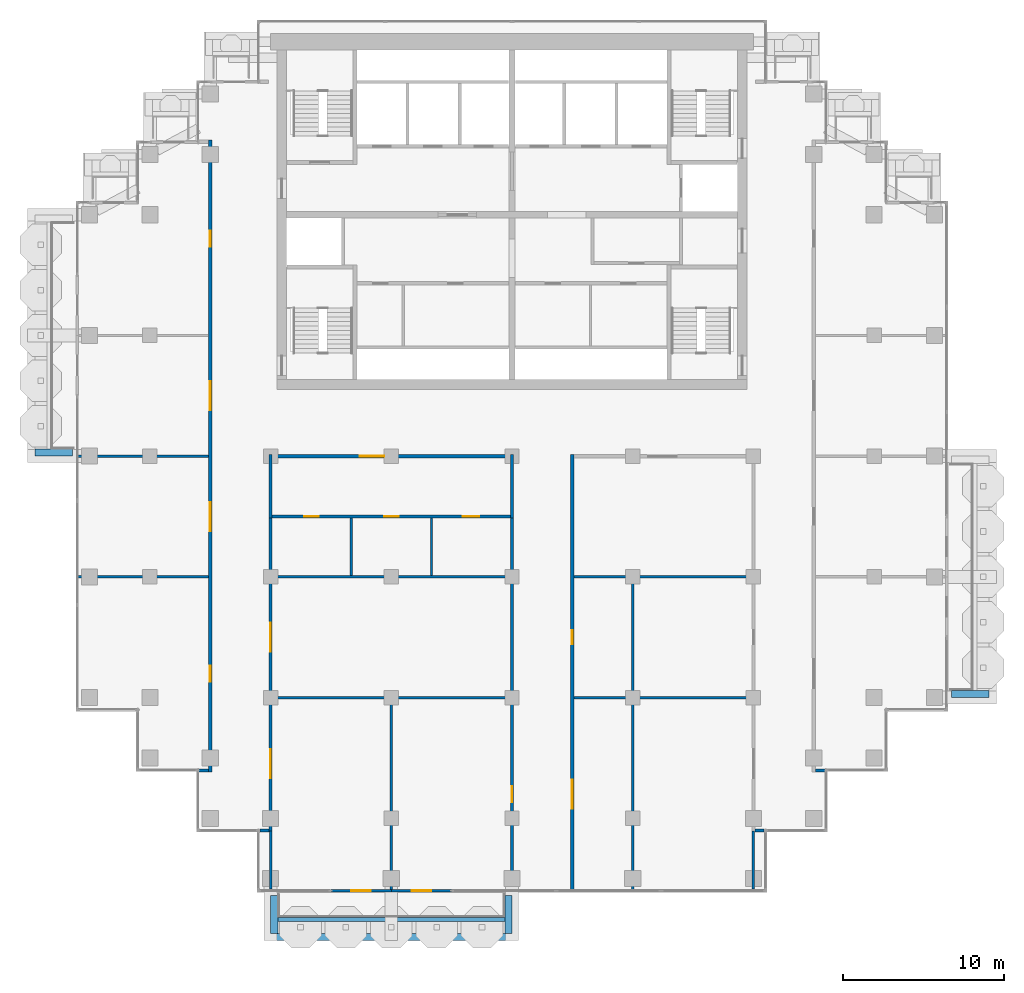
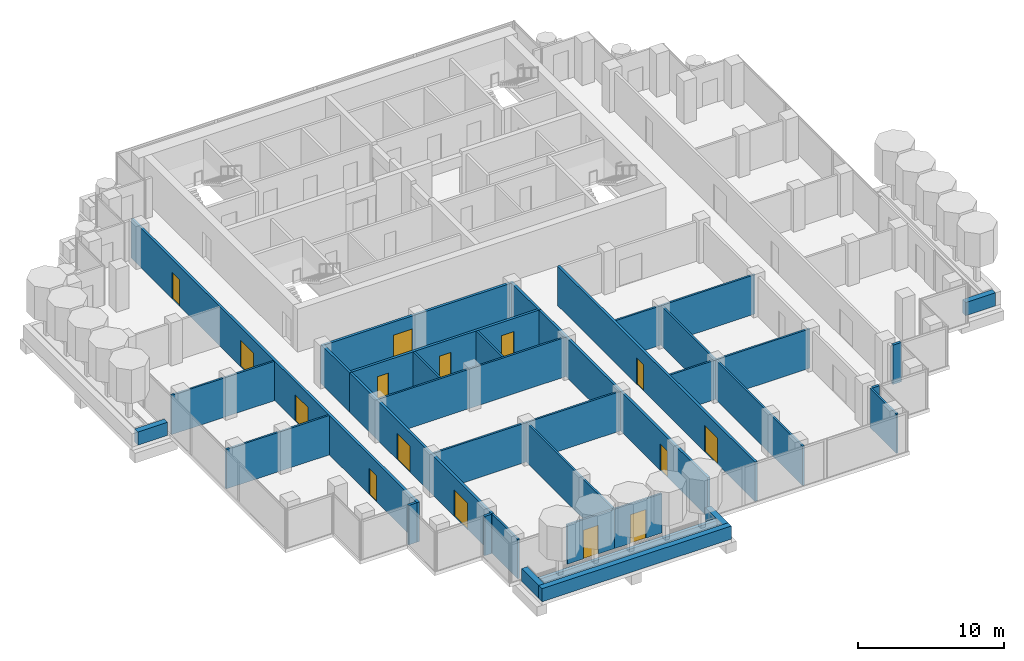
# One storey, part 11 of 18: 32 walls, 15 doors, 15 openings.
"""IFC4 building model written with IfcOpenShell, lengths in metres."""

from ifc_helpers import new_model, si_unit, direction, frame, frame_2d, origin, place, context, subcontext, project, spatial, rectangle, extrude, material, layer, layer_set, type_object, element, fill, save


model = new_model("IFC4")

# Units and contexts
model_context = context("Model", 3, precision=1e-05, world=origin(), true_north=direction((0.0, 1.0)))
body_context = subcontext(model_context, "Body", "Model", "MODEL_VIEW")
ifc_project = project(units=[si_unit("LENGTHUNIT", "METRE"), si_unit("AREAUNIT", "SQUARE_METRE"), si_unit("VOLUMEUNIT", "CUBIC_METRE"), si_unit("PLANEANGLEUNIT", "RADIAN"), si_unit("MASSUNIT", "GRAM", prefix="KILO")], contexts=[model_context])

# Site, building, storey
site_placement = place(None, origin())
site = spatial("IfcSite", under=ifc_project, at=site_placement, CompositionType="ELEMENT")
building_placement = place(site_placement, origin())
building = spatial("IfcBuilding", under=site, at=building_placement, Name="Pilkhan Gate Tower", CompositionType="ELEMENT")
storey_placement = place(building_placement, frame((0.0, 0.0, 192.300048828125)))
storey = spatial("IfcBuildingStorey", under=building, at=storey_placement, Name="L49", CompositionType="ELEMENT", Elevation=192.300048828125)

# Walls
ifc_material_1 = material(Name="Concrete C40/50", Category="concrete")
ifc_layer_1 = layer(ifc_material_1, 0.25)
ifc_layer_set_1 = layer_set([ifc_layer_1], Name="Balcony planter BP250")
wall_type_1 = type_object("IfcWallType", Name="Balcony planter BP250", PredefinedType="USERDEFINED", material=ifc_layer_set_1)
wall_1_placement = place(storey_placement, frame((60.449951171875, 38.72509765625, 0.0), z_axis=(0.0, 0.0, 1.0), x_axis=(1.0, 0.0, 0.0)))
element("IfcWall", 1, at=wall_1_placement, inside=storey, type_object=wall_type_1, Name="Balcony planter L49 S", ObjectType="BALCONY PLANTER", PredefinedType="USERDEFINED", context=body_context, shape_type="SweptSolid", body=[
    extrude(rectangle(XDim=14.10009765625, YDim=0.25, at=frame_2d((7.050048828125, 0.0))), origin(), (0.0, 0.0, 1.0), 1.0),
])
ifc_material_2 = material(Name="Board-marked Concrete C40/50", Category="concrete")
ifc_layer_2 = layer(ifc_material_2, 0.449951171875)
ifc_layer_set_2 = layer_set([ifc_layer_2], Name="Balcony planter lip BL450")
wall_type_2 = type_object("IfcWallType", Name="Balcony planter lip BL450", PredefinedType="USERDEFINED", material=ifc_layer_set_2)
wall_2_placement = place(storey_placement, frame((60.0, 37.625, 0.0), z_axis=(0.0, 0.0, 1.0), x_axis=(1.0, 0.0, 0.0)))
element("IfcWall", 2, at=wall_2_placement, inside=storey, type_object=wall_type_2, Name="Balcony planter L49 S", ObjectType="BALCONY PLANTER", PredefinedType="USERDEFINED", context=body_context, shape_type="SweptSolid", body=[
    extrude(rectangle(XDim=15.0, YDim=0.449951171875, at=frame_2d((7.5, 0.0))), origin(), (0.0, 0.0, 1.0), 1.099853515625),
])
for number, where, z_axis, x_axis, name in (
    (3, (60.22509765625, 40.199951171875, 0.0), (0.0, 0.0, 1.0), (0.0, -1.0, 0.0), "Balcony planter L49 S"),
    (4, (74.77490234375, 40.199951171875, 0.0), (0.0, 0.0, 1.0), (0.0, -1.0, 0.0), "Balcony planter L49 S"),
    (5, (102.300048828125, 52.72509765625, 0.0), (0.0, 0.0, 1.0), (1.0, 0.0, 0.0), "Balcony planter L49 E"),
    (6, (47.699951171875, 67.72509765625, 0.0), (0.0, 0.0, 1.0), (-1.0, 0.0, 0.0), "Balcony planter L49 W"),
):
    element("IfcWall", number, at=place(storey_placement, frame(where, z_axis=z_axis, x_axis=x_axis)), inside=storey, type_object=wall_type_2, Name=name, ObjectType="BALCONY PLANTER", PredefinedType="USERDEFINED", context=body_context, shape_type="SweptSolid", body=[
        extrude(rectangle(XDim=2.349853515625, YDim=0.449951171875, at=frame_2d((1.1748046875, 0.0))), origin(), (0.0, 0.0, 1.0), 1.099853515625),
    ])
ifc_material_3 = material(Name="Dense blockwork", Category="masonry")
ifc_layer_3 = layer(ifc_material_3, 0.199951171875)
ifc_layer_set_3 = layer_set([ifc_layer_3], Name="Corridor wall FW200")
wall_type_3 = type_object("IfcWallType", Name="Corridor wall FW200", PredefinedType="PARTITIONING", material=ifc_layer_set_3)
for number, where, z_axis, x_axis, name in (
    (7, (59.35498046875, 44.235107421875, 0.0), (0.0, 0.0, 1.0), (1.0, 0.0, 0.0), "Partition L49"),
    (8, (90.10009765625, 44.235107421875, 0.0), (0.0, 0.0, 1.0), (1.0, 0.0, 0.0), "Partition L49"),
):
    element("IfcWall", number, at=place(storey_placement, frame(where, z_axis=z_axis, x_axis=x_axis)), inside=storey, type_object=wall_type_3, Name=name, PredefinedType="PARTITIONING", context=body_context, shape_type="SweptSolid", body=[
        extrude(rectangle(XDim=0.544921875, YDim=0.199951171875, at=frame_2d((0.2724609375, 0.0))), origin(), (0.0, 0.0, 1.0), 3.300048828125),
    ])
for number, where, z_axis, x_axis, name in (
    (9, (55.485107421875, 47.969970703125, 0.0), (0.0, 0.0, 1.0), (1.0, 0.0, 0.0), "Partition L49"),
    (10, (93.85009765625, 47.969970703125, 0.0), (0.0, 0.0, 1.0), (1.0, 0.0, 0.0), "Partition L49"),
):
    element("IfcWall", number, at=place(storey_placement, frame(where, z_axis=z_axis, x_axis=x_axis)), inside=storey, type_object=wall_type_3, Name=name, PredefinedType="PARTITIONING", context=body_context, shape_type="SweptSolid", body=[
        extrude(rectangle(XDim=0.664794921875, YDim=0.199951171875, at=frame_2d((0.33251953125, 0.0))), origin(), (0.0, 0.0, 1.0), 3.300048828125),
    ])

# Wall, openings, doors
wall_3_placement = place(storey_placement, frame((56.25, 47.8701171875, 0.0), z_axis=(0.0, 0.0, 1.0), x_axis=(0.0, 1.0, 0.0)))
wall_3 = element("IfcWall", 11, at=wall_3_placement, inside=storey, type_object=wall_type_3, Name="Partition L49", PredefinedType="PARTITIONING", context=body_context, shape_type="SweptSolid", body=[
    extrude(rectangle(XDim=39.259765625, YDim=0.199951171875, at=frame_2d((19.6298828125, 0.0))), origin(), (0.0, 0.0, 1.0), 3.300048828125),
])
opening_1_placement = place(wall_3_placement, frame((5.60009765625, 0.0, 0.0)))
opening_1 = element("IfcOpeningElement", 12, at=opening_1_placement, cuts=wall_3, Name="Opening L49-25", PredefinedType="OPENING", context=body_context, shape_type="SweptSolid", body=[
    extrude(rectangle(XDim=1.0, YDim=2.199951171875, at=frame_2d((0.5, 1.10009765625))), frame((0.0, 0.10986328125, 0.0), z_axis=(0.0, -1.0, 0.0), x_axis=(1.0, 0.0, 0.0)), (0.0, 0.0, 1.0), 0.219970703125),
])
opening_2_placement = place(wall_3_placement, frame((14.97998046875, 0.0, 0.0)))
opening_2 = element("IfcOpeningElement", 13, at=opening_2_placement, cuts=wall_3, Name="Opening L49-26", PredefinedType="OPENING", context=body_context, shape_type="SweptSolid", body=[
    extrude(rectangle(XDim=1.800048828125, YDim=2.199951171875, at=frame_2d((0.89990234375, 1.10009765625))), frame((0.0, 0.10986328125, 0.0), z_axis=(0.0, -1.0, 0.0), x_axis=(1.0, 0.0, 0.0)), (0.0, 0.0, 1.0), 0.219970703125),
])
opening_3_placement = place(wall_3_placement, frame((22.47998046875, 0.0, 0.0)))
opening_3 = element("IfcOpeningElement", 14, at=opening_3_placement, cuts=wall_3, Name="Opening L49-27", PredefinedType="OPENING", context=body_context, shape_type="SweptSolid", body=[
    extrude(rectangle(XDim=1.800048828125, YDim=2.199951171875, at=frame_2d((0.89990234375, 1.10009765625))), frame((0.0, 0.10986328125, 0.0), z_axis=(0.0, -1.0, 0.0), x_axis=(1.0, 0.0, 0.0)), (0.0, 0.0, 1.0), 0.219970703125),
])
opening_4_placement = place(wall_3_placement, frame((32.6298828125, 0.0, 0.0)))
opening_4 = element("IfcOpeningElement", 15, at=opening_4_placement, cuts=wall_3, Name="Opening L49-31", PredefinedType="OPENING", context=body_context, shape_type="SweptSolid", body=[
    extrude(rectangle(XDim=1.0, YDim=2.199951171875, at=frame_2d((0.5, 1.10009765625))), frame((0.0, 0.10986328125, 0.0), z_axis=(0.0, -1.0, 0.0), x_axis=(1.0, 0.0, 0.0)), (0.0, 0.0, 1.0), 0.219970703125),
])
ifc_material_4 = material(Name="Timber glazed double door, 30 minute fire resisting", Category="wood")
door_type_1 = type_object("IfcDoorType", Name="Double door D04 1800x2200", OperationType="DOUBLE_DOOR_SINGLE_SWING", PredefinedType="DOOR", material=ifc_material_4)
door_1_placement = place(opening_2_placement, origin())
door_1 = element("IfcDoor", 16, at=door_1_placement, inside=storey, type_object=door_type_1, Name="Double door", OperationType="DOUBLE_DOOR_SINGLE_SWING", OverallHeight=2.199951171875, OverallWidth=1.800048828125, PredefinedType="DOOR", context=body_context, shape_type="SweptSolid", body=[
    extrude(rectangle(XDim=1.800048828125, YDim=2.199951171875, at=frame_2d((0.89990234375, 1.10009765625))), frame((0.0, 0.02490234375, 0.0), z_axis=(0.0, -1.0, 0.0), x_axis=(1.0, 0.0, 0.0)), (0.0, 0.0, 1.0), 0.050048828125),
])
fill(opening_2, door_1)
door_2_placement = place(opening_3_placement, origin())
door_2 = element("IfcDoor", 17, at=door_2_placement, inside=storey, type_object=door_type_1, Name="Double door", OperationType="DOUBLE_DOOR_SINGLE_SWING", OverallHeight=2.199951171875, OverallWidth=1.800048828125, PredefinedType="DOOR", context=body_context, shape_type="SweptSolid", body=[
    extrude(rectangle(XDim=1.800048828125, YDim=2.199951171875, at=frame_2d((0.89990234375, 1.10009765625))), frame((0.0, 0.02490234375, 0.0), z_axis=(0.0, -1.0, 0.0), x_axis=(1.0, 0.0, 0.0)), (0.0, 0.0, 1.0), 0.050048828125),
])
fill(opening_3, door_2)
ifc_material_5 = material(Name="Timber flush door, 30 minute fire resisting", Category="wood")
door_type_2 = type_object("IfcDoorType", Name="Room door D03 1000x2200", OperationType="SINGLE_SWING_LEFT", PredefinedType="DOOR", material=ifc_material_5)
door_3_placement = place(opening_1_placement, origin())
door_3 = element("IfcDoor", 18, at=door_3_placement, inside=storey, type_object=door_type_2, Name="Room door", OperationType="SINGLE_SWING_RIGHT", OverallHeight=2.199951171875, OverallWidth=1.0, PredefinedType="DOOR", context=body_context, shape_type="SweptSolid", body=[
    extrude(rectangle(XDim=1.0, YDim=2.199951171875, at=frame_2d((0.5, 1.10009765625))), frame((0.0, 0.02490234375, 0.0), z_axis=(0.0, -1.0, 0.0), x_axis=(1.0, 0.0, 0.0)), (0.0, 0.0, 1.0), 0.050048828125),
])
fill(opening_1, door_3)
door_4_placement = place(opening_4_placement, origin())
door_4 = element("IfcDoor", 19, at=door_4_placement, inside=storey, type_object=door_type_2, Name="Room door", OperationType="SINGLE_SWING_RIGHT", OverallHeight=2.199951171875, OverallWidth=1.0, PredefinedType="DOOR", context=body_context, shape_type="SweptSolid", body=[
    extrude(rectangle(XDim=1.0, YDim=2.199951171875, at=frame_2d((0.5, 1.10009765625))), frame((0.0, 0.02490234375, 0.0), z_axis=(0.0, -1.0, 0.0), x_axis=(1.0, 0.0, 0.0)), (0.0, 0.0, 1.0), 0.050048828125),
])
fill(opening_4, door_4)

wall_4_placement = place(storey_placement, frame((60.0, 44.135009765625, 0.0), z_axis=(0.0, 0.0, 1.0), x_axis=(0.0, 1.0, 0.0)))
wall_4 = element("IfcWall", 20, at=wall_4_placement, inside=storey, type_object=wall_type_3, Name="Partition L49", PredefinedType="PARTITIONING", context=body_context, shape_type="SweptSolid", body=[
    extrude(rectangle(XDim=19.614990234375, YDim=0.199951171875, at=frame_2d((9.8076171875, 0.0))), origin(), (0.0, 0.0, 1.0), 3.300048828125),
])
opening_5_placement = place(wall_4_placement, frame((3.35009765625, 0.0, 0.0)))
opening_5 = element("IfcOpeningElement", 21, at=opening_5_placement, cuts=wall_4, Name="Opening L49-17", PredefinedType="OPENING", context=body_context, shape_type="SweptSolid", body=[
    extrude(rectangle(XDim=1.800048828125, YDim=2.199951171875, at=frame_2d((0.89990234375, 1.10009765625))), frame((0.0, 0.10986328125, 0.0), z_axis=(0.0, -1.0, 0.0), x_axis=(1.0, 0.0, 0.0)), (0.0, 0.0, 1.0), 0.219970703125),
])
opening_6_placement = place(wall_4_placement, frame((11.215087890625, 0.0, 0.0)))
opening_6 = element("IfcOpeningElement", 22, at=opening_6_placement, cuts=wall_4, Name="Opening L49-19", PredefinedType="OPENING", context=body_context, shape_type="SweptSolid", body=[
    extrude(rectangle(XDim=1.800048828125, YDim=2.199951171875, at=frame_2d((0.89990234375, 1.10009765625))), frame((0.0, 0.10986328125, 0.0), z_axis=(0.0, -1.0, 0.0), x_axis=(1.0, 0.0, 0.0)), (0.0, 0.0, 1.0), 0.219970703125),
])
door_5_placement = place(opening_5_placement, origin())
door_5 = element("IfcDoor", 23, at=door_5_placement, inside=storey, type_object=door_type_1, Name="Double door", OperationType="DOUBLE_DOOR_SINGLE_SWING", OverallHeight=2.199951171875, OverallWidth=1.800048828125, PredefinedType="DOOR", context=body_context, shape_type="SweptSolid", body=[
    extrude(rectangle(XDim=1.800048828125, YDim=2.199951171875, at=frame_2d((0.89990234375, 1.10009765625))), frame((0.0, 0.02490234375, 0.0), z_axis=(0.0, -1.0, 0.0), x_axis=(1.0, 0.0, 0.0)), (0.0, 0.0, 1.0), 0.050048828125),
])
fill(opening_5, door_5)
door_6_placement = place(opening_6_placement, origin())
door_6 = element("IfcDoor", 24, at=door_6_placement, inside=storey, type_object=door_type_1, Name="Double door", OperationType="DOUBLE_DOOR_SINGLE_SWING", OverallHeight=2.199951171875, OverallWidth=1.800048828125, PredefinedType="DOOR", context=body_context, shape_type="SweptSolid", body=[
    extrude(rectangle(XDim=1.800048828125, YDim=2.199951171875, at=frame_2d((0.89990234375, 1.10009765625))), frame((0.0, 0.02490234375, 0.0), z_axis=(0.0, -1.0, 0.0), x_axis=(1.0, 0.0, 0.0)), (0.0, 0.0, 1.0), 0.050048828125),
])
fill(opening_6, door_6)

# Wall, opening, door
wall_5_placement = place(storey_placement, frame((75.0, 40.485107421875, 0.0), z_axis=(0.0, 0.0, 1.0), x_axis=(0.0, 1.0, 0.0)))
wall_5 = element("IfcWall", 25, at=wall_5_placement, inside=storey, type_object=wall_type_3, Name="Partition L49", PredefinedType="PARTITIONING", context=body_context, shape_type="SweptSolid", body=[
    extrude(rectangle(XDim=23.264892578125, YDim=0.199951171875, at=frame_2d((11.63232421875, 0.0))), origin(), (0.0, 0.0, 1.0), 3.300048828125),
])
opening_7_placement = place(wall_5_placement, frame((5.5, 0.0, 0.0)))
opening_7 = element("IfcOpeningElement", 26, at=opening_7_placement, cuts=wall_5, Name="Opening L49-18", PredefinedType="OPENING", context=body_context, shape_type="SweptSolid", body=[
    extrude(rectangle(XDim=1.0, YDim=2.199951171875, at=frame_2d((0.5, 1.10009765625))), frame((0.0, 0.10986328125, 0.0), z_axis=(0.0, -1.0, 0.0), x_axis=(1.0, 0.0, 0.0)), (0.0, 0.0, 1.0), 0.219970703125),
])
door_7_placement = place(opening_7_placement, origin())
door_7 = element("IfcDoor", 27, at=door_7_placement, inside=storey, type_object=door_type_2, Name="Room door", OperationType="SINGLE_SWING_RIGHT", OverallHeight=2.199951171875, OverallWidth=1.0, PredefinedType="DOOR", context=body_context, shape_type="SweptSolid", body=[
    extrude(rectangle(XDim=1.0, YDim=2.199951171875, at=frame_2d((0.5, 1.10009765625))), frame((0.0, 0.02490234375, 0.0), z_axis=(0.0, -1.0, 0.0), x_axis=(1.0, 0.0, 0.0)), (0.0, 0.0, 1.0), 0.050048828125),
])
fill(opening_7, door_7)

# Wall, openings, doors
wall_6_placement = place(storey_placement, frame((78.75, 40.485107421875, 0.0), z_axis=(0.0, 0.0, 1.0), x_axis=(0.0, 1.0, 0.0)))
wall_6 = element("IfcWall", 28, at=wall_6_placement, inside=storey, type_object=wall_type_3, Name="Partition L49", PredefinedType="PARTITIONING", context=body_context, shape_type="SweptSolid", body=[
    extrude(rectangle(XDim=27.114990234375, YDim=0.199951171875, at=frame_2d((13.5576171875, 0.0))), origin(), (0.0, 0.0, 1.0), 3.300048828125),
])
opening_8_placement = place(wall_6_placement, frame((5.10009765625, 0.0, 0.0)))
opening_8 = element("IfcOpeningElement", 29, at=opening_8_placement, cuts=wall_6, Name="Opening L49-20", PredefinedType="OPENING", context=body_context, shape_type="SweptSolid", body=[
    extrude(rectangle(XDim=1.800048828125, YDim=2.199951171875, at=frame_2d((0.89990234375, 1.10009765625))), frame((0.0, 0.10986328125, 0.0), z_axis=(0.0, -1.0, 0.0), x_axis=(1.0, 0.0, 0.0)), (0.0, 0.0, 1.0), 0.219970703125),
])
opening_9_placement = place(wall_6_placement, frame((15.31494140625, 0.0, 0.0)))
opening_9 = element("IfcOpeningElement", 30, at=opening_9_placement, cuts=wall_6, Name="Opening L49-22", PredefinedType="OPENING", context=body_context, shape_type="SweptSolid", body=[
    extrude(rectangle(XDim=0.89990234375, YDim=2.199951171875, at=frame_2d((0.449951171875, 1.10009765625))), frame((0.0, 0.10986328125, 0.0), z_axis=(0.0, -1.0, 0.0), x_axis=(1.0, 0.0, 0.0)), (0.0, 0.0, 1.0), 0.219970703125),
])
door_8_placement = place(opening_8_placement, origin())
door_8 = element("IfcDoor", 31, at=door_8_placement, inside=storey, type_object=door_type_1, Name="Double door", OperationType="DOUBLE_DOOR_SINGLE_SWING", OverallHeight=2.199951171875, OverallWidth=1.800048828125, PredefinedType="DOOR", context=body_context, shape_type="SweptSolid", body=[
    extrude(rectangle(XDim=1.800048828125, YDim=2.199951171875, at=frame_2d((0.89990234375, 1.10009765625))), frame((0.0, 0.02490234375, 0.0), z_axis=(0.0, -1.0, 0.0), x_axis=(1.0, 0.0, 0.0)), (0.0, 0.0, 1.0), 0.050048828125),
])
fill(opening_8, door_8)
ifc_material_6 = material(Name="Timber flush door, 60 minute fire resisting, self-closing", Category="wood")
door_type_3 = type_object("IfcDoorType", Name="Store door D05 900x2200", OperationType="SINGLE_SWING_LEFT", PredefinedType="DOOR", material=ifc_material_6)
door_9_placement = place(opening_9_placement, origin())
door_9 = element("IfcDoor", 32, at=door_9_placement, inside=storey, type_object=door_type_3, Name="Store door", OperationType="SINGLE_SWING_LEFT", OverallHeight=2.199951171875, OverallWidth=0.89990234375, PredefinedType="DOOR", context=body_context, shape_type="SweptSolid", body=[
    extrude(rectangle(XDim=0.89990234375, YDim=2.199951171875, at=frame_2d((0.449951171875, 1.10009765625))), frame((0.0, 0.02490234375, 0.0), z_axis=(0.0, -1.0, 0.0), x_axis=(1.0, 0.0, 0.0)), (0.0, 0.0, 1.0), 0.050048828125),
])
fill(opening_9, door_9)

# Wall, opening, door
ifc_material_7 = material(Name="Pale anodised aluminium, clear laminated glazing", Category="aluminium")
ifc_layer_4 = layer(ifc_material_7, 0.14990234375)
ifc_layer_set_4 = layer_set([ifc_layer_4], Name="Facade infill wall IW150")
wall_type_4 = type_object("IfcWallType", Name="Facade infill wall IW150", PredefinedType="SOLIDWALL", material=ifc_layer_set_4)
wall_7_placement = place(storey_placement, frame((63.75, 40.5, 0.0), z_axis=(0.0, 0.0, 1.0), x_axis=(1.0, 0.0, 0.0)))
wall_7 = element("IfcWall", 33, at=wall_7_placement, inside=storey, type_object=wall_type_4, Name="Infill wall L49 S", PredefinedType="SOLIDWALL", context=body_context, shape_type="SweptSolid", body=[
    extrude(rectangle(XDim=3.75, YDim=0.14990234375, at=frame_2d((1.875, 0.0))), origin(), (0.0, 0.0, 1.0), 3.300048828125),
])
opening_10_placement = place(wall_7_placement, frame((1.27490234375, 0.0, 0.0)))
opening_10 = element("IfcOpeningElement", 34, at=opening_10_placement, cuts=wall_7, Name="Opening D1", PredefinedType="OPENING", context=body_context, shape_type="SweptSolid", body=[
    extrude(rectangle(XDim=1.199951171875, YDim=2.39990234375, at=frame_2d((0.60009765625, 1.199951171875))), frame((0.0, 0.0849609375, 0.0), z_axis=(0.0, -1.0, 0.0), x_axis=(1.0, 0.0, 0.0)), (0.0, 0.0, 1.0), 0.169921875),
])
ifc_material_8 = material(Name="Pale anodised aluminium, clear glazing", Category="aluminium")
door_type_4 = type_object("IfcDoorType", Name="Balcony door D1 1200x2400", OperationType="SINGLE_SWING_LEFT", PredefinedType="DOOR", material=ifc_material_8)
door_10_placement = place(opening_10_placement, origin())
door_10 = element("IfcDoor", 35, at=door_10_placement, inside=storey, type_object=door_type_4, Name="Balcony door L49", OperationType="SINGLE_SWING_LEFT", OverallHeight=2.39990234375, OverallWidth=1.199951171875, PredefinedType="DOOR", context=body_context, shape_type="SweptSolid", body=[
    extrude(rectangle(XDim=1.199951171875, YDim=2.39990234375, at=frame_2d((0.60009765625, 1.199951171875))), frame((0.0, 0.02490234375, 0.0), z_axis=(0.0, -1.0, 0.0), x_axis=(1.0, 0.0, 0.0)), (0.0, 0.0, 1.0), 0.050048828125),
])
fill(opening_10, door_10)

wall_8_placement = place(storey_placement, frame((67.5, 40.5, 0.0), z_axis=(0.0, 0.0, 1.0), x_axis=(1.0, 0.0, 0.0)))
wall_8 = element("IfcWall", 36, at=wall_8_placement, inside=storey, type_object=wall_type_4, Name="Infill wall L49 S", PredefinedType="SOLIDWALL", context=body_context, shape_type="SweptSolid", body=[
    extrude(rectangle(XDim=3.75, YDim=0.14990234375, at=frame_2d((1.875, 0.0))), origin(), (0.0, 0.0, 1.0), 3.300048828125),
])
opening_11_placement = place(wall_8_placement, frame((1.27490234375, 0.0, 0.0)))
opening_11 = element("IfcOpeningElement", 37, at=opening_11_placement, cuts=wall_8, Name="Opening D1", PredefinedType="OPENING", context=body_context, shape_type="SweptSolid", body=[
    extrude(rectangle(XDim=1.199951171875, YDim=2.39990234375, at=frame_2d((0.60009765625, 1.199951171875))), frame((0.0, 0.0849609375, 0.0), z_axis=(0.0, -1.0, 0.0), x_axis=(1.0, 0.0, 0.0)), (0.0, 0.0, 1.0), 0.169921875),
])
door_11_placement = place(opening_11_placement, origin())
door_11 = element("IfcDoor", 38, at=door_11_placement, inside=storey, type_object=door_type_4, Name="Balcony door L49", OperationType="SINGLE_SWING_LEFT", OverallHeight=2.39990234375, OverallWidth=1.199951171875, PredefinedType="DOOR", context=body_context, shape_type="SweptSolid", body=[
    extrude(rectangle(XDim=1.199951171875, YDim=2.39990234375, at=frame_2d((0.60009765625, 1.199951171875))), frame((0.0, 0.02490234375, 0.0), z_axis=(0.0, -1.0, 0.0), x_axis=(1.0, 0.0, 0.0)), (0.0, 0.0, 1.0), 0.050048828125),
])
fill(opening_11, door_11)

# Wall, openings, doors
ifc_layer_5 = layer(ifc_material_3, 0.199951171875)
ifc_layer_set_5 = layer_set([ifc_layer_5], Name="Lobby wall LW200")
wall_type_5 = type_object("IfcWallType", Name="Lobby wall LW200", PredefinedType="PARTITIONING", material=ifc_layer_set_5)
wall_9_placement = place(storey_placement, frame((60.10009765625, 63.75, 0.0), z_axis=(0.0, 0.0, 1.0), x_axis=(1.0, 0.0, 0.0)))
wall_9 = element("IfcWall", 39, at=wall_9_placement, inside=storey, type_object=wall_type_5, Name="Partition L49", PredefinedType="PARTITIONING", context=body_context, shape_type="SweptSolid", body=[
    extrude(rectangle(XDim=14.7998046875, YDim=0.199951171875, at=frame_2d((7.39990234375, 0.0))), origin(), (0.0, 0.0, 1.0), 3.300048828125),
])
opening_12_placement = place(wall_9_placement, frame((2.0, 0.0, 0.0)))
opening_12 = element("IfcOpeningElement", 40, at=opening_12_placement, cuts=wall_9, Name="Opening L49-14", PredefinedType="OPENING", context=body_context, shape_type="SweptSolid", body=[
    extrude(rectangle(XDim=0.89990234375, YDim=2.199951171875, at=frame_2d((0.449951171875, 1.10009765625))), frame((0.0, 0.10986328125, 0.0), z_axis=(0.0, -1.0, 0.0), x_axis=(1.0, 0.0, 0.0)), (0.0, 0.0, 1.0), 0.219970703125),
])
opening_13_placement = place(wall_9_placement, frame((6.949951171875, 0.0, 0.0)))
opening_13 = element("IfcOpeningElement", 41, at=opening_13_placement, cuts=wall_9, Name="Opening L49-15", PredefinedType="OPENING", context=body_context, shape_type="SweptSolid", body=[
    extrude(rectangle(XDim=0.89990234375, YDim=2.199951171875, at=frame_2d((0.449951171875, 1.10009765625))), frame((0.0, 0.10986328125, 0.0), z_axis=(0.0, -1.0, 0.0), x_axis=(1.0, 0.0, 0.0)), (0.0, 0.0, 1.0), 0.219970703125),
])
opening_14_placement = place(wall_9_placement, frame((11.85009765625, 0.0, 0.0)))
opening_14 = element("IfcOpeningElement", 42, at=opening_14_placement, cuts=wall_9, Name="Opening L49-16", PredefinedType="OPENING", context=body_context, shape_type="SweptSolid", body=[
    extrude(rectangle(XDim=1.0, YDim=2.199951171875, at=frame_2d((0.5, 1.10009765625))), frame((0.0, 0.10986328125, 0.0), z_axis=(0.0, -1.0, 0.0), x_axis=(1.0, 0.0, 0.0)), (0.0, 0.0, 1.0), 0.219970703125),
])
ifc_material_9 = material(Name="Timber flush door, outward opening, 30 minute fire resisting", Category="wood")
door_type_5 = type_object("IfcDoorType", Name="Accessible toilet door D07 1000x2200", OperationType="SINGLE_SWING_LEFT", PredefinedType="DOOR", material=ifc_material_9)
door_12_placement = place(opening_14_placement, origin())
door_12 = element("IfcDoor", 43, at=door_12_placement, inside=storey, type_object=door_type_5, Name="Accessible toilet door", OperationType="SINGLE_SWING_RIGHT", OverallHeight=2.199951171875, OverallWidth=1.0, PredefinedType="DOOR", context=body_context, shape_type="SweptSolid", body=[
    extrude(rectangle(XDim=1.0, YDim=2.199951171875, at=frame_2d((0.5, 1.10009765625))), frame((0.0, 0.02490234375, 0.0), z_axis=(0.0, -1.0, 0.0), x_axis=(1.0, 0.0, 0.0)), (0.0, 0.0, 1.0), 0.050048828125),
])
fill(opening_14, door_12)
door_type_6 = type_object("IfcDoorType", Name="Toilet door D06 900x2200", OperationType="SINGLE_SWING_LEFT", PredefinedType="DOOR", material=ifc_material_5)
door_13_placement = place(opening_12_placement, origin())
door_13 = element("IfcDoor", 44, at=door_13_placement, inside=storey, type_object=door_type_6, Name="Toilet door", OperationType="SINGLE_SWING_LEFT", OverallHeight=2.199951171875, OverallWidth=0.89990234375, PredefinedType="DOOR", context=body_context, shape_type="SweptSolid", body=[
    extrude(rectangle(XDim=0.89990234375, YDim=2.199951171875, at=frame_2d((0.449951171875, 1.10009765625))), frame((0.0, 0.02490234375, 0.0), z_axis=(0.0, -1.0, 0.0), x_axis=(1.0, 0.0, 0.0)), (0.0, 0.0, 1.0), 0.050048828125),
])
fill(opening_12, door_13)
door_14_placement = place(opening_13_placement, origin())
door_14 = element("IfcDoor", 45, at=door_14_placement, inside=storey, type_object=door_type_6, Name="Toilet door", OperationType="SINGLE_SWING_RIGHT", OverallHeight=2.199951171875, OverallWidth=0.89990234375, PredefinedType="DOOR", context=body_context, shape_type="SweptSolid", body=[
    extrude(rectangle(XDim=0.89990234375, YDim=2.199951171875, at=frame_2d((0.449951171875, 1.10009765625))), frame((0.0, 0.02490234375, 0.0), z_axis=(0.0, -1.0, 0.0), x_axis=(1.0, 0.0, 0.0)), (0.0, 0.0, 1.0), 0.050048828125),
])
fill(opening_13, door_14)

# Wall, opening, door
wall_10_placement = place(storey_placement, frame((60.10009765625, 67.5, 0.0), z_axis=(0.0, 0.0, 1.0), x_axis=(1.0, 0.0, 0.0)))
wall_10 = element("IfcWall", 46, at=wall_10_placement, inside=storey, type_object=wall_type_5, Name="Partition L49", PredefinedType="PARTITIONING", context=body_context, shape_type="SweptSolid", body=[
    extrude(rectangle(XDim=14.7998046875, YDim=0.199951171875, at=frame_2d((7.39990234375, 0.0))), origin(), (0.0, 0.0, 1.0), 3.300048828125),
])
opening_15_placement = place(wall_10_placement, frame((5.449951171875, 0.0, 0.0)))
opening_15 = element("IfcOpeningElement", 47, at=opening_15_placement, cuts=wall_10, Name="Opening L49-13", PredefinedType="OPENING", context=body_context, shape_type="SweptSolid", body=[
    extrude(rectangle(XDim=1.5, YDim=2.199951171875, at=frame_2d((0.75, 1.10009765625))), frame((0.0, 0.10986328125, 0.0), z_axis=(0.0, -1.0, 0.0), x_axis=(1.0, 0.0, 0.0)), (0.0, 0.0, 1.0), 0.219970703125),
])
ifc_material_10 = material(Name="Steel framed glazed door, 60 minute fire resisting", Category="steel")
door_type_7 = type_object("IfcDoorType", Name="Lobby door D09 1500x2200", OperationType="DOUBLE_DOOR_SINGLE_SWING", PredefinedType="DOOR", material=ifc_material_10)
door_15_placement = place(opening_15_placement, origin())
door_15 = element("IfcDoor", 48, at=door_15_placement, inside=storey, type_object=door_type_7, Name="Lobby door", OperationType="DOUBLE_DOOR_SINGLE_SWING", OverallHeight=2.199951171875, OverallWidth=1.5, PredefinedType="DOOR", context=body_context, shape_type="SweptSolid", body=[
    extrude(rectangle(XDim=1.5, YDim=2.199951171875, at=frame_2d((0.75, 1.10009765625))), frame((0.0, 0.02490234375, 0.0), z_axis=(0.0, -1.0, 0.0), x_axis=(1.0, 0.0, 0.0)), (0.0, 0.0, 1.0), 0.050048828125),
])
fill(opening_15, door_15)

# Walls
for number, where, z_axis, x_axis, name in (
    (49, (60.0, 63.64990234375, 0.0), (0.0, 0.0, 1.0), (0.0, 1.0, 0.0), "Partition L49"),
    (50, (75.0, 63.64990234375, 0.0), (0.0, 0.0, 1.0), (0.0, 1.0, 0.0), "Partition L49"),
):
    element("IfcWall", number, at=place(storey_placement, frame(where, z_axis=z_axis, x_axis=x_axis)), inside=storey, type_object=wall_type_5, Name=name, PredefinedType="PARTITIONING", context=body_context, shape_type="SweptSolid", body=[
        extrude(rectangle(XDim=3.9501953125, YDim=0.199951171875, at=frame_2d((1.97509765625, 0.0))), origin(), (0.0, 0.0, 1.0), 3.300048828125),
    ])
ifc_material_11 = material(Name="Blockwork partition, plastered both sides", Category="masonry")
ifc_layer_6 = layer(ifc_material_11, 0.14990234375)
ifc_layer_set_6 = layer_set([ifc_layer_6], Name="Partition PW150")
wall_type_6 = type_object("IfcWallType", Name="Partition PW150", PredefinedType="PARTITIONING", material=ifc_layer_set_6)
wall_11_placement = place(storey_placement, frame((60.10009765625, 52.5, 0.0), z_axis=(0.0, 0.0, 1.0), x_axis=(1.0, 0.0, 0.0)))
element("IfcWall", 51, at=wall_11_placement, inside=storey, type_object=wall_type_6, Name="Partition L49", PredefinedType="PARTITIONING", context=body_context, shape_type="SweptSolid", body=[
    extrude(rectangle(XDim=14.7998046875, YDim=0.14990234375, at=frame_2d((7.39990234375, 0.0))), origin(), (0.0, 0.0, 1.0), 3.300048828125),
])
wall_12_placement = place(storey_placement, frame((78.85009765625, 52.5, 0.0), z_axis=(0.0, 0.0, 1.0), x_axis=(1.0, 0.0, 0.0)))
element("IfcWall", 52, at=wall_12_placement, inside=storey, type_object=wall_type_6, Name="Partition L49", PredefinedType="PARTITIONING", context=body_context, shape_type="SweptSolid", body=[
    extrude(rectangle(XDim=11.0498046875, YDim=0.14990234375, at=frame_2d((5.52490234375, 0.0))), origin(), (0.0, 0.0, 1.0), 3.300048828125),
])
wall_13_placement = place(storey_placement, frame((47.985107421875, 60.0, 0.0), z_axis=(0.0, 0.0, 1.0), x_axis=(1.0, 0.0, 0.0)))
element("IfcWall", 53, at=wall_13_placement, inside=storey, type_object=wall_type_6, Name="Partition L49", PredefinedType="PARTITIONING", context=body_context, shape_type="SweptSolid", body=[
    extrude(rectangle(XDim=8.164794921875, YDim=0.14990234375, at=frame_2d((4.08251953125, 0.0))), origin(), (0.0, 0.0, 1.0), 3.300048828125),
])
wall_14_placement = place(storey_placement, frame((60.10009765625, 60.0, 0.0), z_axis=(0.0, 0.0, 1.0), x_axis=(1.0, 0.0, 0.0)))
element("IfcWall", 54, at=wall_14_placement, inside=storey, type_object=wall_type_6, Name="Partition L49", PredefinedType="PARTITIONING", context=body_context, shape_type="SweptSolid", body=[
    extrude(rectangle(XDim=14.7998046875, YDim=0.14990234375, at=frame_2d((7.39990234375, 0.0))), origin(), (0.0, 0.0, 1.0), 3.300048828125),
])
wall_15_placement = place(storey_placement, frame((78.85009765625, 60.0, 0.0), z_axis=(0.0, 0.0, 1.0), x_axis=(1.0, 0.0, 0.0)))
element("IfcWall", 55, at=wall_15_placement, inside=storey, type_object=wall_type_6, Name="Partition L49", PredefinedType="PARTITIONING", context=body_context, shape_type="SweptSolid", body=[
    extrude(rectangle(XDim=11.0498046875, YDim=0.14990234375, at=frame_2d((5.52490234375, 0.0))), origin(), (0.0, 0.0, 1.0), 3.300048828125),
])
wall_16_placement = place(storey_placement, frame((47.985107421875, 67.5, 0.0), z_axis=(0.0, 0.0, 1.0), x_axis=(1.0, 0.0, 0.0)))
element("IfcWall", 56, at=wall_16_placement, inside=storey, type_object=wall_type_6, Name="Partition L49", PredefinedType="PARTITIONING", context=body_context, shape_type="SweptSolid", body=[
    extrude(rectangle(XDim=8.164794921875, YDim=0.14990234375, at=frame_2d((4.08251953125, 0.0))), origin(), (0.0, 0.0, 1.0), 3.300048828125),
])
wall_17_placement = place(storey_placement, frame((60.0, 40.60498046875, 0.0), z_axis=(0.0, 0.0, 1.0), x_axis=(0.0, 1.0, 0.0)))
element("IfcWall", 57, at=wall_17_placement, inside=storey, type_object=wall_type_6, Name="Partition L49", PredefinedType="PARTITIONING", context=body_context, shape_type="SweptSolid", body=[
    extrude(rectangle(XDim=3.60009765625, YDim=0.14990234375, at=frame_2d((1.800048828125, 0.0))), origin(), (0.0, 0.0, 1.0), 3.300048828125),
])
wall_18_placement = place(storey_placement, frame((65.0, 60.074951171875, 0.0), z_axis=(0.0, 0.0, 1.0), x_axis=(0.0, 1.0, 0.0)))
element("IfcWall", 58, at=wall_18_placement, inside=storey, type_object=wall_type_6, Name="Partition L49", PredefinedType="PARTITIONING", context=body_context, shape_type="SweptSolid", body=[
    extrude(rectangle(XDim=3.574951171875, YDim=0.14990234375, at=frame_2d((1.78759765625, 0.0))), origin(), (0.0, 0.0, 1.0), 3.300048828125),
])
wall_19_placement = place(storey_placement, frame((67.5, 40.5849609375, 0.0), z_axis=(0.0, 0.0, 1.0), x_axis=(0.0, 1.0, 0.0)))
element("IfcWall", 59, at=wall_19_placement, inside=storey, type_object=wall_type_6, Name="Partition L49", PredefinedType="PARTITIONING", context=body_context, shape_type="SweptSolid", body=[
    extrude(rectangle(XDim=11.840087890625, YDim=0.14990234375, at=frame_2d((5.919921875, 0.0))), origin(), (0.0, 0.0, 1.0), 3.300048828125),
])
wall_20_placement = place(storey_placement, frame((70.0, 60.074951171875, 0.0), z_axis=(0.0, 0.0, 1.0), x_axis=(0.0, 1.0, 0.0)))
element("IfcWall", 60, at=wall_20_placement, inside=storey, type_object=wall_type_6, Name="Partition L49", PredefinedType="PARTITIONING", context=body_context, shape_type="SweptSolid", body=[
    extrude(rectangle(XDim=3.574951171875, YDim=0.14990234375, at=frame_2d((1.78759765625, 0.0))), origin(), (0.0, 0.0, 1.0), 3.300048828125),
])
wall_21_placement = place(storey_placement, frame((82.5, 40.485107421875, 0.0), z_axis=(0.0, 0.0, 1.0), x_axis=(0.0, 1.0, 0.0)))
element("IfcWall", 61, at=wall_21_placement, inside=storey, type_object=wall_type_6, Name="Partition L49", PredefinedType="PARTITIONING", context=body_context, shape_type="SweptSolid", body=[
    extrude(rectangle(XDim=19.43994140625, YDim=0.14990234375, at=frame_2d((9.719970703125, 0.0))), origin(), (0.0, 0.0, 1.0), 3.300048828125),
])
wall_22_placement = place(storey_placement, frame((90.0, 40.60498046875, 0.0), z_axis=(0.0, 0.0, 1.0), x_axis=(0.0, 1.0, 0.0)))
element("IfcWall", 62, at=wall_22_placement, inside=storey, type_object=wall_type_6, Name="Partition L49", PredefinedType="PARTITIONING", context=body_context, shape_type="SweptSolid", body=[
    extrude(rectangle(XDim=3.60009765625, YDim=0.14990234375, at=frame_2d((1.800048828125, 0.0))), origin(), (0.0, 0.0, 1.0), 3.300048828125),
])

save(model, "model.ifc")
